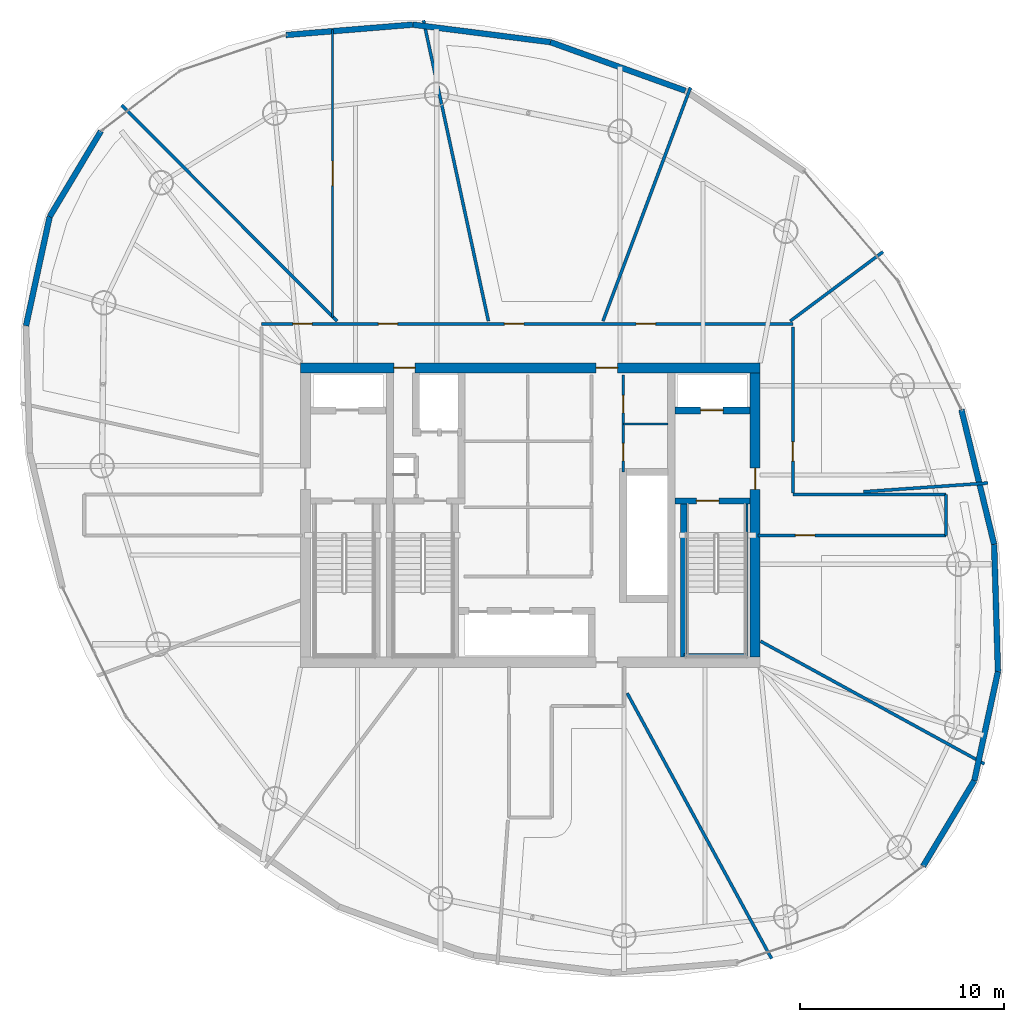
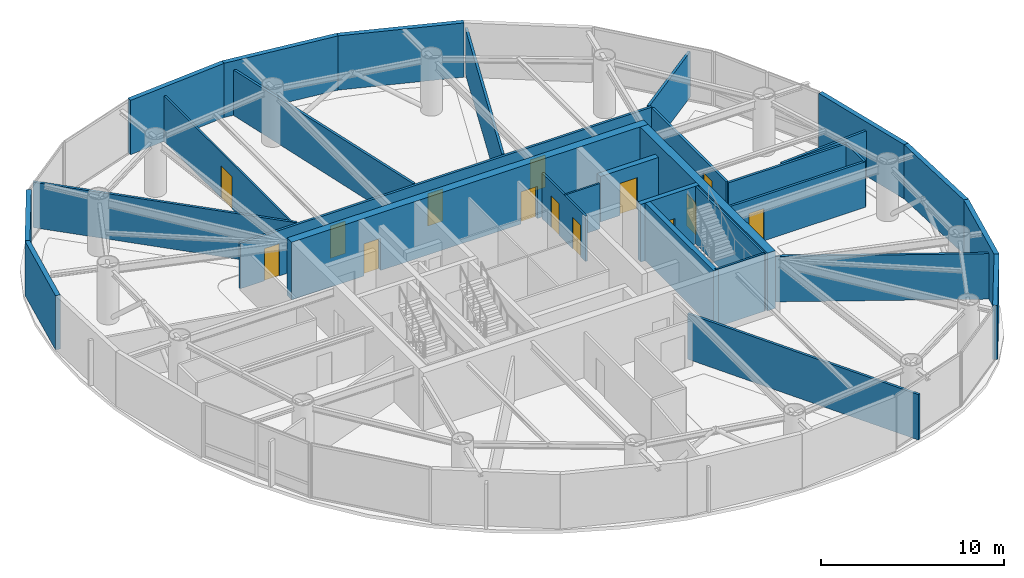
# One storey, part 15 of 19: 31 walls, 14 doors, 14 openings.
"""IFC4 building model written with IfcOpenShell, lengths in metres."""

from ifc_helpers import new_model, si_unit, direction, frame, frame_2d, origin, place, context, subcontext, project, spatial, rectangle, extrude, material, layer, layer_set, type_object, element, fill, save


model = new_model("IFC4")

# Units and contexts
model_context = context("Model", 3, precision=1e-05, world=origin(), true_north=direction((0.0, 1.0)))
body_context = subcontext(model_context, "Body", "Model", "MODEL_VIEW")
ifc_project = project(units=[si_unit("LENGTHUNIT", "METRE"), si_unit("AREAUNIT", "SQUARE_METRE"), si_unit("VOLUMEUNIT", "CUBIC_METRE"), si_unit("PLANEANGLEUNIT", "RADIAN"), si_unit("MASSUNIT", "GRAM", prefix="KILO")], contexts=[model_context])

# Site, building, storey
site_placement = place(None, origin())
site = spatial("IfcSite", under=ifc_project, at=site_placement, CompositionType="ELEMENT")
building_placement = place(site_placement, origin())
building = spatial("IfcBuilding", under=site, at=building_placement, Name="Bramvorn Convention Spire", CompositionType="ELEMENT")
storey_placement = place(building_placement, frame((0.0, 0.0, 198.14990234375)))
storey = spatial("IfcBuildingStorey", under=building, at=storey_placement, Name="L50", CompositionType="ELEMENT", Elevation=198.14990234375)

# Wall, openings, doors
ifc_material_1 = material(Name="Concrete C50/60", Category="concrete")
ifc_layer_1 = layer(ifc_material_1, 0.5)
ifc_layer_set_1 = layer_set([ifc_layer_1], Name="Concrete C50/60 - WL-CORE-500")
wall_type_1 = type_object("IfcWallType", Name="WL-CORE-500", PredefinedType="SHEAR", material=ifc_layer_set_1)
wall_1_placement = place(storey_placement, frame((26.75, 33.199951171875, 0.0), z_axis=(0.0, 0.0, 1.0), x_axis=(1.0, 0.0, 0.0)))
wall_1 = element("IfcWall", 1, at=wall_1_placement, inside=storey, type_object=wall_type_1, Name="L50 North RC core shear wall", PredefinedType="SHEAR", context=body_context, shape_type="SweptSolid", body=[
    extrude(rectangle(XDim=22.5, YDim=0.5, at=frame_2d((11.25, 0.0))), origin(), (0.0, 0.0, 1.0), 3.85009765625),
])
opening_1_placement = place(wall_1_placement, frame((4.570068359375, 0.0, 0.0)))
opening_1 = element("IfcOpeningElement", 2, at=opening_1_placement, cuts=wall_1, Name="Opening DL-105", PredefinedType="OPENING", context=body_context, shape_type="SweptSolid", body=[
    extrude(rectangle(XDim=1.050048828125, YDim=2.14990234375, at=frame_2d((0.52490234375, 1.074951171875))), frame((0.0, 0.260009765625, 0.0), z_axis=(0.0, -1.0, 0.0), x_axis=(1.0, 0.0, 0.0)), (0.0, 0.0, 1.0), 0.52001953125),
])
opening_2_placement = place(wall_1_placement, frame((14.469970703125, 0.0, 0.0)))
opening_2 = element("IfcOpeningElement", 3, at=opening_2_placement, cuts=wall_1, Name="Opening DL-105", PredefinedType="OPENING", context=body_context, shape_type="SweptSolid", body=[
    extrude(rectangle(XDim=1.050048828125, YDim=2.14990234375, at=frame_2d((0.52490234375, 1.074951171875))), frame((0.0, 0.260009765625, 0.0), z_axis=(0.0, -1.0, 0.0), x_axis=(1.0, 0.0, 0.0)), (0.0, 0.0, 1.0), 0.52001953125),
])
ifc_material_2 = material(Name="Smoke-Sealed Fire Lobby Timber-Core Door", Category="wood")
door_type_1 = type_object("IfcDoorType", Name="DR-LOBBY-1050", OperationType="NOTDEFINED", PredefinedType="DOOR", material=ifc_material_2)
door_1_placement = place(opening_1_placement, origin())
door_1 = element("IfcDoor", 4, at=door_1_placement, inside=storey, type_object=door_type_1, Name="L50 Service & Stair ST3 Lobby north corridor door", OperationType="SINGLE_SWING_LEFT", OverallHeight=2.14990234375, OverallWidth=1.050048828125, PredefinedType="DOOR", context=body_context, shape_type="SweptSolid", body=[
    extrude(rectangle(XDim=1.050048828125, YDim=2.14990234375, at=frame_2d((0.52490234375, 1.074951171875))), frame((0.0, 0.02490234375, 0.0), z_axis=(0.0, -1.0, 0.0), x_axis=(1.0, 0.0, 0.0)), (0.0, 0.0, 1.0), 0.050048828125),
])
fill(opening_1, door_1)
door_2_placement = place(opening_2_placement, origin())
door_2 = element("IfcDoor", 5, at=door_2_placement, inside=storey, type_object=door_type_1, Name="L50 North Lift Lobby fire door", OperationType="SINGLE_SWING_LEFT", OverallHeight=2.14990234375, OverallWidth=1.050048828125, PredefinedType="DOOR", context=body_context, shape_type="SweptSolid", body=[
    extrude(rectangle(XDim=1.050048828125, YDim=2.14990234375, at=frame_2d((0.52490234375, 1.074951171875))), frame((0.0, 0.02490234375, 0.0), z_axis=(0.0, -1.0, 0.0), x_axis=(1.0, 0.0, 0.0)), (0.0, 0.0, 1.0), 0.050048828125),
])
fill(opening_2, door_2)

# Wall, opening, door
wall_2_placement = place(storey_placement, frame((49.0, 19.050048828125, 0.0), z_axis=(0.0, 0.0, 1.0), x_axis=(0.0, 1.0, 0.0)))
wall_2 = element("IfcWall", 6, at=wall_2_placement, inside=storey, type_object=wall_type_1, Name="L50 East RC core shear wall", PredefinedType="SHEAR", context=body_context, shape_type="SweptSolid", body=[
    extrude(rectangle(XDim=13.89990234375, YDim=0.5, at=frame_2d((6.949951171875, 0.0))), origin(), (0.0, 0.0, 1.0), 3.85009765625),
])
opening_3_placement = place(wall_2_placement, frame((8.199951171875, 0.0, 0.0)))
opening_3 = element("IfcOpeningElement", 7, at=opening_3_placement, cuts=wall_2, Name="Opening DL-105", PredefinedType="OPENING", context=body_context, shape_type="SweptSolid", body=[
    extrude(rectangle(XDim=1.050048828125, YDim=2.14990234375, at=frame_2d((0.52490234375, 1.074951171875))), frame((0.0, 0.260009765625, 0.0), z_axis=(0.0, -1.0, 0.0), x_axis=(1.0, 0.0, 0.0)), (0.0, 0.0, 1.0), 0.52001953125),
])
door_3_placement = place(opening_3_placement, origin())
door_3 = element("IfcDoor", 8, at=door_3_placement, inside=storey, type_object=door_type_1, Name="L50 East Firefighting Lobby corridor door", OperationType="SINGLE_SWING_LEFT", OverallHeight=2.14990234375, OverallWidth=1.050048828125, PredefinedType="DOOR", context=body_context, shape_type="SweptSolid", body=[
    extrude(rectangle(XDim=1.050048828125, YDim=2.14990234375, at=frame_2d((0.52490234375, 1.074951171875))), frame((0.0, 0.02490234375, 0.0), z_axis=(0.0, -1.0, 0.0), x_axis=(1.0, 0.0, 0.0)), (0.0, 0.0, 1.0), 0.050048828125),
])
fill(opening_3, door_3)

ifc_layer_2 = layer(ifc_material_1, 0.35009765625)
ifc_layer_set_2 = layer_set([ifc_layer_2], Name="Concrete C50/60 - WL-CORE-INT-350")
wall_type_2 = type_object("IfcWallType", Name="WL-CORE-INT-350", PredefinedType="SHEAR", material=ifc_layer_set_2)
wall_3_placement = place(storey_placement, frame((45.080078125, 31.1201171875, 0.0), z_axis=(0.0, 0.0, 1.0), x_axis=(1.0, 0.0, 0.0)))
wall_3 = element("IfcWall", 9, at=wall_3_placement, inside=storey, type_object=wall_type_2, Name="L50 FE2 shaft front wall", PredefinedType="SHEAR", context=body_context, shape_type="SweptSolid", body=[
    extrude(rectangle(XDim=3.669921875, YDim=0.35009765625, at=frame_2d((1.8349609375, 0.0))), origin(), (0.0, 0.0, 1.0), 3.03515625),
])
opening_4_placement = place(wall_3_placement, frame((1.25, 0.0, 0.0)))
opening_4 = element("IfcOpeningElement", 10, at=opening_4_placement, cuts=wall_3, Name="Opening LD-110", PredefinedType="OPENING", context=body_context, shape_type="SweptSolid", body=[
    extrude(rectangle(XDim=1.10009765625, YDim=2.14990234375, at=frame_2d((0.550048828125, 1.074951171875))), frame((0.0, 0.18505859375, 0.0), z_axis=(0.0, -1.0, 0.0), x_axis=(1.0, 0.0, 0.0)), (0.0, 0.0, 1.0), 0.3701171875),
])
ifc_material_3 = material(Name="Firefighting & Service Lift Sliding Landing Door", Category="steel")
door_type_2 = type_object("IfcDoorType", Name="DR-LIFT-LD-1100", OperationType="NOTDEFINED", PredefinedType="DOOR", material=ifc_material_3)
door_4_placement = place(opening_4_placement, origin())
door_4 = element("IfcDoor", 11, at=door_4_placement, inside=storey, type_object=door_type_2, Name="L50 Lift FE2 Sliding Landing Door", OperationType="SLIDING_TO_LEFT", OverallHeight=2.14990234375, OverallWidth=1.10009765625, PredefinedType="DOOR", context=body_context, shape_type="SweptSolid", body=[
    extrude(rectangle(XDim=1.10009765625, YDim=2.14990234375, at=frame_2d((0.550048828125, 1.074951171875))), frame((0.0, 0.02490234375, 0.0), z_axis=(0.0, -1.0, 0.0), x_axis=(1.0, 0.0, 0.0)), (0.0, 0.0, 1.0), 0.050048828125),
])
fill(opening_4, door_4)

# Walls
ifc_material_4 = material(Name="Precast Concrete C40/50 with Bronze Terracotta Rainscreen", Category="masonry")
ifc_layer_3 = layer(ifc_material_4, 0.300048828125)
ifc_layer_set_3 = layer_set([ifc_layer_3], Name="Precast Concrete C40/50 with Bronze Terracotta Rainscreen - WL-EXT-BRONZE-300")
wall_type_3 = type_object("IfcWallType", Name="WL-EXT-BRONZE-300", PredefinedType="SOLIDWALL", material=ifc_layer_set_3)
wall_4_placement = place(storey_placement, frame((59.72509765625, 12.99951171875, 0.0), z_axis=(0.0, 0.0, 1.0), x_axis=(-0.514046546847, -0.857762290891, 0.0)))
element("IfcWall", 12, at=wall_4_placement, inside=storey, type_object=wall_type_3, Name="L50 expressed bronze Gothic lancet pier wall 01", PredefinedType="SOLIDWALL", context=body_context, shape_type="SweptSolid", body=[
    extrude(rectangle(XDim=4.876220703125, YDim=0.280029296875, at=frame_2d((2.43798828125, 0.0))), origin(), (0.0, 0.0, 1.0), 3.6201171875),
])
wall_5_placement = place(storey_placement, frame((60.884033203125, 18.339599609375, 0.0), z_axis=(0.0, 0.0, 1.0), x_axis=(-0.21208833361, -0.977250499486, 0.0)))
element("IfcWall", 13, at=wall_5_placement, inside=storey, type_object=wall_type_3, Name="L50 expressed bronze Gothic lancet pier wall 02", PredefinedType="SOLIDWALL", context=body_context, shape_type="SweptSolid", body=[
    extrude(rectangle(XDim=5.46435546875, YDim=0.280029296875, at=frame_2d((2.732177734375, 0.0))), origin(), (0.0, 0.0, 1.0), 3.6201171875),
])
wall_6_placement = place(storey_placement, frame((60.697021484375, 24.563232421875, 0.0), z_axis=(0.0, 0.0, 1.0), x_axis=(0.030035086117, -0.999548845031, 0.0)))
element("IfcWall", 14, at=wall_6_placement, inside=storey, type_object=wall_type_3, Name="L50 expressed bronze Gothic lancet pier wall 03", PredefinedType="SOLIDWALL", context=body_context, shape_type="SweptSolid", body=[
    extrude(rectangle(XDim=6.2265625, YDim=0.280029296875, at=frame_2d((3.11328125, 0.0))), origin(), (0.0, 0.0, 1.0), 3.6201171875),
])
wall_7_placement = place(storey_placement, frame((59.09619140625, 31.15625, 0.0), z_axis=(0.0, 0.0, 1.0), x_axis=(0.235951211477, -0.971764902537, 0.0)))
element("IfcWall", 15, at=wall_7_placement, inside=storey, type_object=wall_type_3, Name="L50 expressed bronze Gothic lancet pier wall 04", PredefinedType="SOLIDWALL", context=body_context, shape_type="SweptSolid", body=[
    extrude(rectangle(XDim=6.78466796875, YDim=0.280029296875, at=frame_2d((3.392333984375, 0.0))), origin(), (0.0, 0.0, 1.0), 3.6201171875),
])
wall_8_placement = place(storey_placement, frame((38.9833984375, 49.139404296875, 0.0), z_axis=(0.0, 0.0, 1.0), x_axis=(0.940815101007, -0.338920264542, 0.0)))
element("IfcWall", 16, at=wall_8_placement, inside=storey, type_object=wall_type_3, Name="L50 expressed bronze Gothic lancet pier wall 08", PredefinedType="SOLIDWALL", context=body_context, shape_type="SweptSolid", body=[
    extrude(rectangle(XDim=7.017578125, YDim=0.280029296875, at=frame_2d((3.5087890625, 0.0))), origin(), (0.0, 0.0, 1.0), 3.6201171875),
])
wall_9_placement = place(storey_placement, frame((32.253173828125, 49.9951171875, 0.0), z_axis=(0.0, 0.0, 1.0), x_axis=(0.992013801187, -0.126129371102, 0.0)))
element("IfcWall", 17, at=wall_9_placement, inside=storey, type_object=wall_type_3, Name="L50 expressed bronze Gothic lancet pier wall 09", PredefinedType="SOLIDWALL", context=body_context, shape_type="SweptSolid", body=[
    extrude(rectangle(XDim=6.784423828125, YDim=0.280029296875, at=frame_2d((3.39208984375, 0.0))), origin(), (0.0, 0.0, 1.0), 3.6201171875),
])
wall_10_placement = place(storey_placement, frame((26.04736328125, 49.4873046875, 0.0), z_axis=(0.0, 0.0, 1.0), x_axis=(0.996668763865, 0.08155596321, 0.0)))
element("IfcWall", 18, at=wall_10_placement, inside=storey, type_object=wall_type_3, Name="L50 expressed bronze Gothic lancet pier wall 10", PredefinedType="SOLIDWALL", context=body_context, shape_type="SweptSolid", body=[
    extrude(rectangle(XDim=6.2265625, YDim=0.280029296875, at=frame_2d((3.11328125, 0.0))), origin(), (0.0, 0.0, 1.0), 3.6201171875),
])
wall_11_placement = place(storey_placement, frame((14.48583984375, 40.60009765625, 0.0), z_axis=(0.0, 0.0, 1.0), x_axis=(0.514024471223, 0.857775520159, 0.0)))
element("IfcWall", 19, at=wall_11_placement, inside=storey, type_object=wall_type_3, Name="L50 expressed bronze Gothic lancet pier wall 13", PredefinedType="SOLIDWALL", context=body_context, shape_type="SweptSolid", body=[
    extrude(rectangle(XDim=4.87646484375, YDim=0.280029296875, at=frame_2d((2.438232421875, 0.0))), origin(), (0.0, 0.0, 1.0), 3.6201171875),
])
wall_12_placement = place(storey_placement, frame((13.326904296875, 35.260009765625, 0.0), z_axis=(0.0, 0.0, 1.0), x_axis=(0.21208833361, 0.977250499486, 0.0)))
element("IfcWall", 20, at=wall_12_placement, inside=storey, type_object=wall_type_3, Name="L50 expressed bronze Gothic lancet pier wall 14", PredefinedType="SOLIDWALL", context=body_context, shape_type="SweptSolid", body=[
    extrude(rectangle(XDim=5.46435546875, YDim=0.280029296875, at=frame_2d((2.732177734375, 0.0))), origin(), (0.0, 0.0, 1.0), 3.6201171875),
])
ifc_material_5 = material(Name="Lightweight En-Suite & Wet-Wall Partition", Category="gypsum")
ifc_layer_4 = layer(ifc_material_5, 0.110107421875)
ifc_layer_set_4 = layer_set([ifc_layer_4], Name="Lightweight En-Suite & Wet-Wall Partition - WL-PART-110")
wall_type_4 = type_object("IfcWallType", Name="WL-PART-110", PredefinedType="PARTITIONING", material=ifc_layer_set_4)
wall_13_placement = place(storey_placement, frame((42.550048828125, 30.449951171875, 0.0), z_axis=(0.0, 0.0, 1.0), x_axis=(1.0, 0.0, 0.0)))
element("IfcWall", 21, at=wall_13_placement, inside=storey, type_object=wall_type_4, Name="L50 KB NE divider", PredefinedType="PARTITIONING", context=body_context, shape_type="SweptSolid", body=[
    extrude(rectangle(XDim=2.199951171875, YDim=0.110107421875, at=frame_2d((1.10009765625, 0.0))), origin(), (0.0, 0.0, 1.0), 3.03515625),
])

# Wall, opening, door
wall_14_placement = place(storey_placement, frame((28.3271484375, 35.67529296875, 0.0), z_axis=(0.0, 0.0, 1.0), x_axis=(0.0, 1.0, 0.0)))
wall_14 = element("IfcWall", 22, at=wall_14_placement, inside=storey, type_object=wall_type_4, Name="L50 Partner Private Office 1 inner suite partition", PredefinedType="PARTITIONING", context=body_context, shape_type="SweptSolid", body=[
    extrude(rectangle(XDim=14.079833984375, YDim=0.110107421875, at=frame_2d((7.0400390625, 0.0))), origin(), (0.0, 0.0, 1.0), 3.03515625),
])
opening_5_placement = place(wall_14_placement, frame((6.43994140625, 0.0, 0.0)))
opening_5 = element("IfcOpeningElement", 23, at=opening_5_placement, cuts=wall_14, Name="Opening DSL-12", PredefinedType="OPENING", context=body_context, shape_type="SweptSolid", body=[
    extrude(rectangle(XDim=1.199951171875, YDim=2.14990234375, at=frame_2d((0.60009765625, 1.074951171875))), frame((0.0, 0.06494140625, 0.0), z_axis=(0.0, -1.0, 0.0), x_axis=(1.0, 0.0, 0.0)), (0.0, 0.0, 1.0), 0.130126953125),
])
ifc_material_6 = material(Name="Pocket Sliding Bronze-Framed Glass Suite Door", Category="glass")
door_type_3 = type_object("IfcDoorType", Name="DR-SLIDE-1200", OperationType="NOTDEFINED", PredefinedType="DOOR", material=ifc_material_6)
door_5_placement = place(opening_5_placement, origin())
door_5 = element("IfcDoor", 24, at=door_5_placement, inside=storey, type_object=door_type_3, Name="L50 Inner Suite 4 door", OperationType="SLIDING_TO_RIGHT", OverallHeight=2.14990234375, OverallWidth=1.199951171875, PredefinedType="DOOR", context=body_context, shape_type="SweptSolid", body=[
    extrude(rectangle(XDim=1.199951171875, YDim=2.14990234375, at=frame_2d((0.60009765625, 1.074951171875))), frame((0.0, 0.02490234375, 0.0), z_axis=(0.0, -1.0, 0.0), x_axis=(1.0, 0.0, 0.0)), (0.0, 0.0, 1.0), 0.050048828125),
])
fill(opening_5, door_5)

# Wall, openings, doors
ifc_material_7 = material(Name="Metal-Stud Demountable Office Partition", Category="gypsum")
ifc_layer_5 = layer(ifc_material_7, 0.1298828125)
ifc_layer_set_5 = layer_set([ifc_layer_5], Name="Metal-Stud Demountable Office Partition - WL-PART-130")
wall_type_5 = type_object("IfcWallType", Name="WL-PART-130", PredefinedType="PARTITIONING", material=ifc_layer_set_5)
wall_15_placement = place(storey_placement, frame((42.550048828125, 28.10009765625, 0.0), z_axis=(0.0, 0.0, 1.0), x_axis=(0.0, 1.0, 0.0)))
wall_15 = element("IfcWall", 25, at=wall_15_placement, inside=storey, type_object=wall_type_5, Name="L50 KB NE split wall", PredefinedType="PARTITIONING", context=body_context, shape_type="SweptSolid", body=[
    extrude(rectangle(XDim=4.75, YDim=0.1298828125, at=frame_2d((2.375, 0.0))), origin(), (0.0, 0.0, 1.0), 3.03515625),
])
opening_6_placement = place(wall_15_placement, frame((0.550048828125, 0.0, 0.0)))
opening_6 = element("IfcOpeningElement", 26, at=opening_6_placement, cuts=wall_15, Name="Opening DC-085", PredefinedType="OPENING", context=body_context, shape_type="SweptSolid", body=[
    extrude(rectangle(XDim=0.85009765625, YDim=2.10009765625, at=frame_2d((0.425048828125, 1.050048828125))), frame((0.0, 0.074951171875, 0.0), z_axis=(0.0, -1.0, 0.0), x_axis=(1.0, 0.0, 0.0)), (0.0, 0.0, 1.0), 0.14990234375),
])
opening_7_placement = place(wall_15_placement, frame((2.89990234375, 0.0, 0.0)))
opening_7 = element("IfcOpeningElement", 27, at=opening_7_placement, cuts=wall_15, Name="Opening DC-085", PredefinedType="OPENING", context=body_context, shape_type="SweptSolid", body=[
    extrude(rectangle(XDim=0.85009765625, YDim=2.10009765625, at=frame_2d((0.425048828125, 1.050048828125))), frame((0.0, 0.074951171875, 0.0), z_axis=(0.0, -1.0, 0.0), x_axis=(1.0, 0.0, 0.0)), (0.0, 0.0, 1.0), 0.14990234375),
])
ifc_material_8 = material(Name="Fire-Rated Core Washroom & IDF Door", Category="wood")
door_type_4 = type_object("IfcDoorType", Name="DR-CORE-850", OperationType="NOTDEFINED", PredefinedType="DOOR", material=ifc_material_8)
door_6_placement = place(opening_6_placement, origin())
door_6 = element("IfcDoor", 28, at=door_6_placement, inside=storey, type_object=door_type_4, Name="L50 Core Staff WC door", OperationType="SINGLE_SWING_LEFT", OverallHeight=2.10009765625, OverallWidth=0.85009765625, PredefinedType="DOOR", context=body_context, shape_type="SweptSolid", body=[
    extrude(rectangle(XDim=0.85009765625, YDim=2.10009765625, at=frame_2d((0.425048828125, 1.050048828125))), frame((0.0, 0.02490234375, 0.0), z_axis=(0.0, -1.0, 0.0), x_axis=(1.0, 0.0, 0.0)), (0.0, 0.0, 1.0), 0.050048828125),
])
fill(opening_6, door_6)
door_7_placement = place(opening_7_placement, origin())
door_7 = element("IfcDoor", 29, at=door_7_placement, inside=storey, type_object=door_type_4, Name="L50 Core Data Closet door", OperationType="SINGLE_SWING_LEFT", OverallHeight=2.10009765625, OverallWidth=0.85009765625, PredefinedType="DOOR", context=body_context, shape_type="SweptSolid", body=[
    extrude(rectangle(XDim=0.85009765625, YDim=2.10009765625, at=frame_2d((0.425048828125, 1.050048828125))), frame((0.0, 0.02490234375, 0.0), z_axis=(0.0, -1.0, 0.0), x_axis=(1.0, 0.0, 0.0)), (0.0, 0.0, 1.0), 0.050048828125),
])
fill(opening_7, door_7)

ifc_material_9 = material(Name="Acoustic Metal-Stud Tenant/Corridor Partition", Category="gypsum")
ifc_layer_6 = layer(ifc_material_9, 0.14990234375)
ifc_layer_set_6 = layer_set([ifc_layer_6], Name="Acoustic Metal-Stud Tenant/Corridor Partition - WL-PART-150")
wall_type_6 = type_object("IfcWallType", Name="WL-PART-150", PredefinedType="PARTITIONING", material=ifc_layer_set_6)
wall_16_placement = place(storey_placement, frame((24.85009765625, 35.35009765625, 0.0), z_axis=(0.0, 0.0, 1.0), x_axis=(1.0, 0.0, 0.0)))
wall_16 = element("IfcWall", 30, at=wall_16_placement, inside=storey, type_object=wall_type_6, Name="L50 North gallery wall", PredefinedType="PARTITIONING", context=body_context, shape_type="SweptSolid", body=[
    extrude(rectangle(XDim=26.0, YDim=0.14990234375, at=frame_2d((13.0, 0.0))), origin(), (0.0, 0.0, 1.0), 3.03515625),
])
opening_8_placement = place(wall_16_placement, frame((18.3271484375, 0.0, 0.0)))
opening_8 = element("IfcOpeningElement", 31, at=opening_8_placement, cuts=wall_16, Name="Opening DH-095", PredefinedType="OPENING", context=body_context, shape_type="SweptSolid", body=[
    extrude(rectangle(XDim=0.949951171875, YDim=2.14990234375, at=frame_2d((0.47509765625, 1.074951171875))), frame((0.0, 0.0849609375, 0.0), z_axis=(0.0, -1.0, 0.0), x_axis=(1.0, 0.0, 0.0)), (0.0, 0.0, 1.0), 0.169921875),
])
opening_9_placement = place(wall_16_placement, frame((11.880859375, 0.0, 0.0)))
opening_9 = element("IfcOpeningElement", 32, at=opening_9_placement, cuts=wall_16, Name="Opening DH-095", PredefinedType="OPENING", context=body_context, shape_type="SweptSolid", body=[
    extrude(rectangle(XDim=0.949951171875, YDim=2.14990234375, at=frame_2d((0.47509765625, 1.074951171875))), frame((0.0, 0.0849609375, 0.0), z_axis=(0.0, -1.0, 0.0), x_axis=(1.0, 0.0, 0.0)), (0.0, 0.0, 1.0), 0.169921875),
])
opening_10_placement = place(wall_16_placement, frame((5.71142578125, 0.0, 0.0)))
opening_10 = element("IfcOpeningElement", 33, at=opening_10_placement, cuts=wall_16, Name="Opening DH-095", PredefinedType="OPENING", context=body_context, shape_type="SweptSolid", body=[
    extrude(rectangle(XDim=0.949951171875, YDim=2.14990234375, at=frame_2d((0.47509765625, 1.074951171875))), frame((0.0, 0.0849609375, 0.0), z_axis=(0.0, -1.0, 0.0), x_axis=(1.0, 0.0, 0.0)), (0.0, 0.0, 1.0), 0.169921875),
])
opening_11_placement = place(wall_16_placement, frame((1.5283203125, 0.0, 0.0)))
opening_11 = element("IfcOpeningElement", 34, at=opening_11_placement, cuts=wall_16, Name="Opening DH-095", PredefinedType="OPENING", context=body_context, shape_type="SweptSolid", body=[
    extrude(rectangle(XDim=0.949951171875, YDim=2.14990234375, at=frame_2d((0.47509765625, 1.074951171875))), frame((0.0, 0.0849609375, 0.0), z_axis=(0.0, -1.0, 0.0), x_axis=(1.0, 0.0, 0.0)), (0.0, 0.0, 1.0), 0.169921875),
])
ifc_material_10 = material(Name="Solid-Core Acoustic Guestroom Entry Door", Category="wood")
door_type_5 = type_object("IfcDoorType", Name="DR-HOTEL-950", OperationType="NOTDEFINED", PredefinedType="DOOR", material=ifc_material_10)
door_8_placement = place(opening_8_placement, origin())
door_8 = element("IfcDoor", 35, at=door_8_placement, inside=storey, type_object=door_type_5, Name="L50 Archive & Document Vault 2 2 door", OperationType="SINGLE_SWING_RIGHT", OverallHeight=2.14990234375, OverallWidth=0.949951171875, PredefinedType="DOOR", context=body_context, shape_type="SweptSolid", body=[
    extrude(rectangle(XDim=0.949951171875, YDim=2.14990234375, at=frame_2d((0.47509765625, 1.074951171875))), frame((0.0, 0.02490234375, 0.0), z_axis=(0.0, -1.0, 0.0), x_axis=(1.0, 0.0, 0.0)), (0.0, 0.0, 1.0), 0.050048828125),
])
fill(opening_8, door_8)
door_9_placement = place(opening_9_placement, origin())
door_9 = element("IfcDoor", 36, at=door_9_placement, inside=storey, type_object=door_type_5, Name="L50 Archive & Print Store 3 3 door", OperationType="SINGLE_SWING_RIGHT", OverallHeight=2.14990234375, OverallWidth=0.949951171875, PredefinedType="DOOR", context=body_context, shape_type="SweptSolid", body=[
    extrude(rectangle(XDim=0.949951171875, YDim=2.14990234375, at=frame_2d((0.47509765625, 1.074951171875))), frame((0.0, 0.02490234375, 0.0), z_axis=(0.0, -1.0, 0.0), x_axis=(1.0, 0.0, 0.0)), (0.0, 0.0, 1.0), 0.050048828125),
])
fill(opening_9, door_9)
door_10_placement = place(opening_10_placement, origin())
door_10 = element("IfcDoor", 37, at=door_10_placement, inside=storey, type_object=door_type_5, Name="L50 Partner Private Office 1 4 door", OperationType="SINGLE_SWING_LEFT", OverallHeight=2.14990234375, OverallWidth=0.949951171875, PredefinedType="DOOR", context=body_context, shape_type="SweptSolid", body=[
    extrude(rectangle(XDim=0.949951171875, YDim=2.14990234375, at=frame_2d((0.47509765625, 1.074951171875))), frame((0.0, 0.02490234375, 0.0), z_axis=(0.0, -1.0, 0.0), x_axis=(1.0, 0.0, 0.0)), (0.0, 0.0, 1.0), 0.050048828125),
])
fill(opening_10, door_10)
door_11_placement = place(opening_11_placement, origin())
door_11 = element("IfcDoor", 38, at=door_11_placement, inside=storey, type_object=door_type_5, Name="L50 Partner Private Office 2 5 door", OperationType="SINGLE_SWING_RIGHT", OverallHeight=2.14990234375, OverallWidth=0.949951171875, PredefinedType="DOOR", context=body_context, shape_type="SweptSolid", body=[
    extrude(rectangle(XDim=0.949951171875, YDim=2.14990234375, at=frame_2d((0.47509765625, 1.074951171875))), frame((0.0, 0.02490234375, 0.0), z_axis=(0.0, -1.0, 0.0), x_axis=(1.0, 0.0, 0.0)), (0.0, 0.0, 1.0), 0.050048828125),
])
fill(opening_11, door_11)

# Wall, opening, door
wall_17_placement = place(storey_placement, frame((50.85009765625, 27.080078125, 0.0), z_axis=(0.0, 0.0, 1.0), x_axis=(0.0, 1.0, 0.0)))
wall_17 = element("IfcWall", 39, at=wall_17_placement, inside=storey, type_object=wall_type_6, Name="L50 NE gallery cheek", PredefinedType="PARTITIONING", context=body_context, shape_type="SweptSolid", body=[
    extrude(rectangle(XDim=8.119873046875, YDim=0.14990234375, at=frame_2d((4.06005859375, 0.0))), origin(), (0.0, 0.0, 1.0), 3.03515625),
])
opening_12_placement = place(wall_17_placement, frame((1.554931640625, 0.0, 0.0)))
opening_12 = element("IfcOpeningElement", 40, at=opening_12_placement, cuts=wall_17, Name="Opening DH-095", PredefinedType="OPENING", context=body_context, shape_type="SweptSolid", body=[
    extrude(rectangle(XDim=0.949951171875, YDim=2.14990234375, at=frame_2d((0.47509765625, 1.074951171875))), frame((0.0, 0.0849609375, 0.0), z_axis=(0.0, -1.0, 0.0), x_axis=(1.0, 0.0, 0.0)), (0.0, 0.0, 1.0), 0.169921875),
])
door_12_placement = place(opening_12_placement, origin())
door_12 = element("IfcDoor", 41, at=door_12_placement, inside=storey, type_object=door_type_5, Name="L50 Archive & Document Store 1 1 door", OperationType="SINGLE_SWING_LEFT", OverallHeight=2.14990234375, OverallWidth=0.949951171875, PredefinedType="DOOR", context=body_context, shape_type="SweptSolid", body=[
    extrude(rectangle(XDim=0.949951171875, YDim=2.14990234375, at=frame_2d((0.47509765625, 1.074951171875))), frame((0.0, 0.02490234375, 0.0), z_axis=(0.0, -1.0, 0.0), x_axis=(1.0, 0.0, 0.0)), (0.0, 0.0, 1.0), 0.050048828125),
])
fill(opening_12, door_12)

# Wall
wall_18_placement = place(storey_placement, frame((50.85009765625, 27.0, 0.0), z_axis=(0.0, 0.0, 1.0), x_axis=(1.0, 0.0, 0.0)))
element("IfcWall", 42, at=wall_18_placement, inside=storey, type_object=wall_type_6, Name="L50 East wing spine north wall", PredefinedType="PARTITIONING", context=body_context, shape_type="SweptSolid", body=[
    extrude(rectangle(XDim=7.486083984375, YDim=0.14990234375, at=frame_2d((3.7431640625, 0.0))), origin(), (0.0, 0.0, 1.0), 3.03515625),
])

# Wall, opening, door
wall_19_placement = place(storey_placement, frame((49.14990234375, 25.0, 0.0), z_axis=(0.0, 0.0, 1.0), x_axis=(1.0, 0.0, 0.0)))
wall_19 = element("IfcWall", 43, at=wall_19_placement, inside=storey, type_object=wall_type_6, Name="L50 East wing spine south wall", PredefinedType="PARTITIONING", context=body_context, shape_type="SweptSolid", body=[
    extrude(rectangle(XDim=9.186279296875, YDim=0.14990234375, at=frame_2d((4.59326171875, 0.0))), origin(), (0.0, 0.0, 1.0), 3.03515625),
])
opening_13_placement = place(wall_19_placement, frame((1.821533203125, 0.0, 0.0)))
opening_13 = element("IfcOpeningElement", 44, at=opening_13_placement, cuts=wall_19, Name="Opening DH-095", PredefinedType="OPENING", context=body_context, shape_type="SweptSolid", body=[
    extrude(rectangle(XDim=0.949951171875, YDim=2.14990234375, at=frame_2d((0.47509765625, 1.074951171875))), frame((0.0, 0.0849609375, 0.0), z_axis=(0.0, -1.0, 0.0), x_axis=(1.0, 0.0, 0.0)), (0.0, 0.0, 1.0), 0.169921875),
])
door_13_placement = place(opening_13_placement, origin())
door_13 = element("IfcDoor", 45, at=door_13_placement, inside=storey, type_object=door_type_5, Name="L50 Archive & Document Store 1 11 door", OperationType="SINGLE_SWING_LEFT", OverallHeight=2.14990234375, OverallWidth=0.949951171875, PredefinedType="DOOR", context=body_context, shape_type="SweptSolid", body=[
    extrude(rectangle(XDim=0.949951171875, YDim=2.14990234375, at=frame_2d((0.47509765625, 1.074951171875))), frame((0.0, 0.02490234375, 0.0), z_axis=(0.0, -1.0, 0.0), x_axis=(1.0, 0.0, 0.0)), (0.0, 0.0, 1.0), 0.050048828125),
])
fill(opening_13, door_13)

# Walls
wall_20_placement = place(storey_placement, frame((58.336181640625, 25.0, 0.0), z_axis=(0.0, 0.0, 1.0), x_axis=(0.0, 1.0, 0.0)))
element("IfcWall", 46, at=wall_20_placement, inside=storey, type_object=wall_type_6, Name="L50 East wing spine end wall", PredefinedType="PARTITIONING", context=body_context, shape_type="SweptSolid", body=[
    extrude(rectangle(XDim=2.0, YDim=0.14990234375, at=frame_2d((1.0, 0.0))), origin(), (0.0, 0.0, 1.0), 3.03515625),
])
wall_21_placement = place(storey_placement, frame((54.302734375, 27.139892578125, 0.0), z_axis=(0.0, 0.0, 1.0), x_axis=(0.997563201077, 0.069768616566, 0.0)))
element("IfcWall", 47, at=wall_21_placement, inside=storey, type_object=wall_type_6, Name="L50 Tenant suite partition 1", PredefinedType="PARTITIONING", context=body_context, shape_type="SweptSolid", body=[
    extrude(rectangle(XDim=6.102783203125, YDim=0.14990234375, at=frame_2d((3.05126953125, 0.0))), origin(), (0.0, 0.0, 1.0), 3.03515625),
])
wall_22_placement = place(storey_placement, frame((50.71923828125, 35.489990234375, 0.0), z_axis=(0.0, 0.0, 1.0), x_axis=(0.801485791148, 0.598013818057, 0.0)))
element("IfcWall", 48, at=wall_22_placement, inside=storey, type_object=wall_type_6, Name="L50 Tenant suite partition 2", PredefinedType="PARTITIONING", context=body_context, shape_type="SweptSolid", body=[
    extrude(rectangle(XDim=5.66943359375, YDim=0.14990234375, at=frame_2d((2.834716796875, 0.0))), origin(), (0.0, 0.0, 1.0), 3.03515625),
])
wall_23_placement = place(storey_placement, frame((41.556640625, 35.489990234375, 0.0), z_axis=(0.0, 0.0, 1.0), x_axis=(0.350952470756, 0.936393273828, 0.0)))
element("IfcWall", 49, at=wall_23_placement, inside=storey, type_object=wall_type_6, Name="L50 Tenant suite partition 3", PredefinedType="PARTITIONING", context=body_context, shape_type="SweptSolid", body=[
    extrude(rectangle(XDim=12.20654296875, YDim=0.14990234375, at=frame_2d((6.103271484375, 0.0))), origin(), (0.0, 0.0, 1.0), 3.03515625),
])
wall_24_placement = place(storey_placement, frame((35.951416015625, 35.489990234375, 0.0), z_axis=(0.0, 0.0, 1.0), x_axis=(-0.211025031092, 0.977480657738, 0.0)))
element("IfcWall", 50, at=wall_24_placement, inside=storey, type_object=wall_type_6, Name="L50 Tenant suite partition 4", PredefinedType="PARTITIONING", context=body_context, shape_type="SweptSolid", body=[
    extrude(rectangle(XDim=15.05517578125, YDim=0.14990234375, at=frame_2d((7.527587890625, 0.0))), origin(), (0.0, 0.0, 1.0), 3.03515625),
])
wall_25_placement = place(storey_placement, frame((28.5400390625, 35.489990234375, 0.0), z_axis=(0.0, 0.0, 1.0), x_axis=(-0.70598507389, 0.708226711897, 0.0)))
element("IfcWall", 51, at=wall_25_placement, inside=storey, type_object=wall_type_6, Name="L50 Tenant suite partition 5", PredefinedType="PARTITIONING", context=body_context, shape_type="SweptSolid", body=[
    extrude(rectangle(XDim=14.9208984375, YDim=0.14990234375, at=frame_2d((7.46044921875, 0.0))), origin(), (0.0, 0.0, 1.0), 3.03515625),
])
wall_26_placement = place(storey_placement, frame((42.739990234375, 17.28662109375, 0.0), z_axis=(0.0, 0.0, 1.0), x_axis=(0.477858429319, -0.878436862574, 0.0)))
element("IfcWall", 52, at=wall_26_placement, inside=storey, type_object=wall_type_6, Name="L50 Tenant suite partition 10", PredefinedType="PARTITIONING", context=body_context, shape_type="SweptSolid", body=[
    extrude(rectangle(XDim=14.791259765625, YDim=0.14990234375, at=frame_2d((7.3955078125, 0.0))), origin(), (0.0, 0.0, 1.0), 3.03515625),
])
wall_27_placement = place(storey_placement, frame((49.27001953125, 19.822998046875, 0.0), z_axis=(0.0, 0.0, 1.0), x_axis=(0.876912085574, -0.48065080274, 0.0)))
element("IfcWall", 53, at=wall_27_placement, inside=storey, type_object=wall_type_6, Name="L50 Tenant suite partition 11", PredefinedType="PARTITIONING", context=body_context, shape_type="SweptSolid", body=[
    extrude(rectangle(XDim=12.4892578125, YDim=0.14990234375, at=frame_2d((6.24462890625, 0.0))), origin(), (0.0, 0.0, 1.0), 3.03515625),
])

# Wall, opening, door
ifc_layer_7 = layer(ifc_material_1, 0.300048828125)
ifc_layer_set_7 = layer_set([ifc_layer_7], Name="Concrete C50/60 - WL-POD-STAIR-300")
wall_type_7 = type_object("IfcWallType", Name="WL-POD-STAIR-300", PredefinedType="SHEAR", material=ifc_layer_set_7)
wall_28_placement = place(storey_placement, frame((45.080078125, 26.68994140625, 0.0), z_axis=(0.0, 0.0, 1.0), x_axis=(1.0, 0.0, 0.0)))
wall_28 = element("IfcWall", 54, at=wall_28_placement, inside=storey, type_object=wall_type_7, Name="L50 ST2 north fire wall", PredefinedType="SHEAR", context=body_context, shape_type="SweptSolid", body=[
    extrude(rectangle(XDim=3.669921875, YDim=0.300048828125, at=frame_2d((1.8349609375, 0.0))), origin(), (0.0, 0.0, 1.0), 3.85009765625),
])
opening_14_placement = place(wall_28_placement, frame((1.050048828125, 0.0, 0.0)))
opening_14 = element("IfcOpeningElement", 55, at=opening_14_placement, cuts=wall_28, Name="Opening DS-110", PredefinedType="OPENING", context=body_context, shape_type="SweptSolid", body=[
    extrude(rectangle(XDim=1.10009765625, YDim=2.14990234375, at=frame_2d((0.550048828125, 1.074951171875))), frame((0.0, 0.159912109375, 0.0), z_axis=(0.0, -1.0, 0.0), x_axis=(1.0, 0.0, 0.0)), (0.0, 0.0, 1.0), 0.320068359375),
])
ifc_material_11 = material(Name="Fire-Rated Hollow Steel Stairwell Door", Category="steel")
door_type_6 = type_object("IfcDoorType", Name="DR-STAIR-1100", OperationType="NOTDEFINED", PredefinedType="DOOR", material=ifc_material_11)
door_14_placement = place(opening_14_placement, origin())
door_14 = element("IfcDoor", 56, at=door_14_placement, inside=storey, type_object=door_type_6, Name="L50 Stair ST2 fire door", OperationType="SINGLE_SWING_RIGHT", OverallHeight=2.14990234375, OverallWidth=1.10009765625, PredefinedType="DOOR", context=body_context, shape_type="SweptSolid", body=[
    extrude(rectangle(XDim=1.10009765625, YDim=2.14990234375, at=frame_2d((0.550048828125, 1.074951171875))), frame((0.0, 0.02490234375, 0.0), z_axis=(0.0, -1.0, 0.0), x_axis=(1.0, 0.0, 0.0)), (0.0, 0.0, 1.0), 0.050048828125),
])
fill(opening_14, door_14)

# Walls
wall_29_placement = place(storey_placement, frame((45.510009765625, 19.050048828125, 0.0), z_axis=(0.0, 0.0, 1.0), x_axis=(0.0, 1.0, 0.0)))
element("IfcWall", 57, at=wall_29_placement, inside=storey, type_object=wall_type_7, Name="L50 ST2 west bearing wall", PredefinedType="SHEAR", context=body_context, shape_type="SweptSolid", body=[
    extrude(rectangle(XDim=7.5, YDim=0.300048828125, at=frame_2d((3.75, 0.0))), origin(), (0.0, 0.0, 1.0), 3.85009765625),
])
ifc_layer_8 = layer(ifc_material_1, 0.1201171875)
ifc_layer_set_8 = layer_set([ifc_layer_8], Name="Concrete C50/60 - WL-STAIR-RC-120")
wall_type_8 = type_object("IfcWallType", Name="WL-STAIR-RC-120", PredefinedType="SHEAR", material=ifc_layer_set_8)
wall_30_placement = place(storey_placement, frame((48.60498046875, 19.10009765625, 0.0), z_axis=(0.0, 0.0, 1.0), x_axis=(0.0, 1.0, 0.0)))
element("IfcWall", 58, at=wall_30_placement, inside=storey, type_object=wall_type_8, Name="L50 ST2 east bearing shear wall", PredefinedType="SHEAR", context=body_context, shape_type="SweptSolid", body=[
    extrude(rectangle(XDim=7.449951171875, YDim=0.1201171875, at=frame_2d((3.72509765625, 0.0))), origin(), (0.0, 0.0, 1.0), 3.85009765625),
])
wall_31_placement = place(storey_placement, frame((45.510009765625, 19.159912109375, 0.0), z_axis=(0.0, 0.0, 1.0), x_axis=(1.0, 0.0, 0.0)))
element("IfcWall", 59, at=wall_31_placement, inside=storey, type_object=wall_type_8, Name="L50 ST2 south bearing shear wall", PredefinedType="SHEAR", context=body_context, shape_type="SweptSolid", body=[
    extrude(rectangle(XDim=3.094970703125, YDim=0.1201171875, at=frame_2d((1.54736328125, 0.0))), origin(), (0.0, 0.0, 1.0), 3.85009765625),
])

save(model, "model.ifc")
